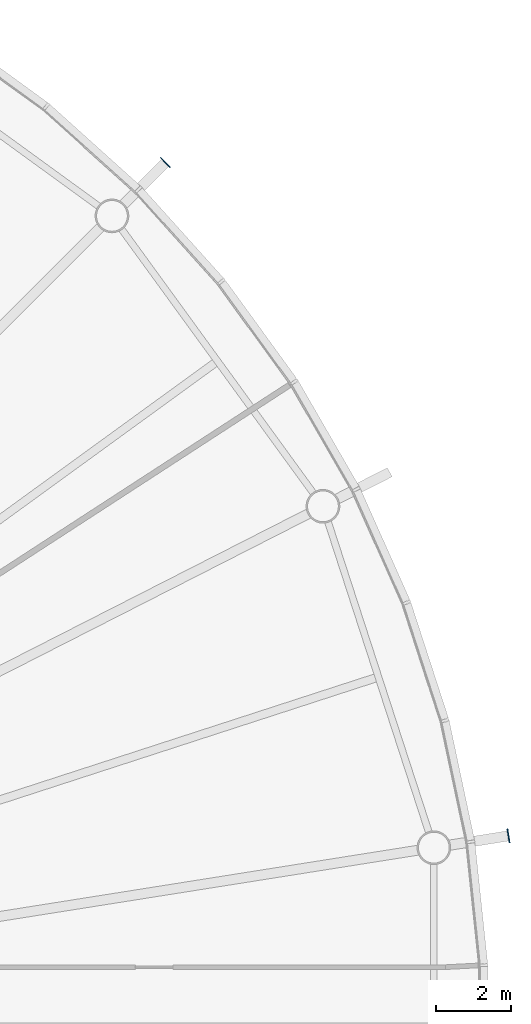
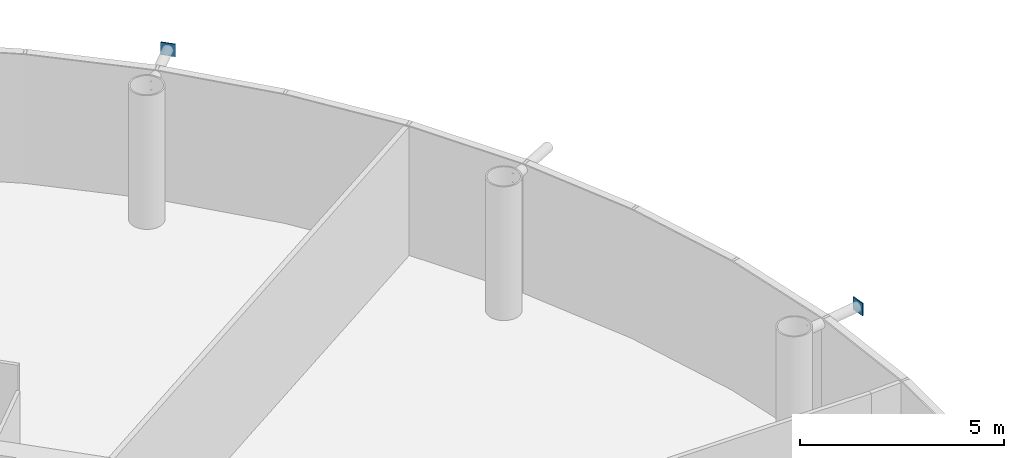
# One storey, part 11 of 19: 2 discrete accessories.
"""IFC4 building model written with IfcOpenShell, lengths in metres."""

from ifc_helpers import new_model, si_unit, direction, frame, origin, origin_2d, place, context, subcontext, project, spatial, rectangle, extrude, material, element, save


model = new_model("IFC4")

# Units and contexts
model_context = context("Model", 3, precision=1e-05, world=origin(), true_north=direction((0.0, 1.0)))
body_context = subcontext(model_context, "Body", "Model", "MODEL_VIEW")
ifc_project = project(units=[si_unit("LENGTHUNIT", "METRE"), si_unit("AREAUNIT", "SQUARE_METRE"), si_unit("VOLUMEUNIT", "CUBIC_METRE"), si_unit("PLANEANGLEUNIT", "RADIAN"), si_unit("MASSUNIT", "GRAM", prefix="KILO")], contexts=[model_context])

# Site, building, storey
site_placement = place(None, origin())
site = spatial("IfcSite", under=ifc_project, at=site_placement, CompositionType="ELEMENT")
building_placement = place(site_placement, origin())
building = spatial("IfcBuilding", under=site, at=building_placement, Name="Entoto Ring Tower", CompositionType="ELEMENT")
storey_placement = place(building_placement, frame((0.0, 0.0, 368.0)))
storey = spatial("IfcBuildingStorey", under=building, at=storey_placement, Name="L85", CompositionType="ELEMENT", Elevation=368.0)

# Discrete accessories
ifc_material = material(Name="Steel S355", Category="steel")
for number, where, z_axis, x_axis, name in (
    (1, (113.062255859375, 103.062255859375, 3.52685546875), (0.0, 0.0, 1.0), (0.707106781187, 0.707106781187, 0.0), "Node strut end plate DS2 ring 27 02"),
    (2, (122.21337890625, 85.10205078125, 3.52685546875), (0.0, 0.0, 1.0), (0.987688340595, 0.15643446504, 0.0), "Node strut end plate DS2 ring 27 20"),
):
    element("IfcDiscreteAccessory", number, at=place(storey_placement, frame(where, z_axis=z_axis, x_axis=x_axis)), inside=storey, material=ifc_material, Name=name, PredefinedType="BRACKET", context=body_context, shape_type="SweptSolid", body=[
        extrude(rectangle(XDim=0.030029296875, YDim=0.373046875, at=origin_2d()), origin(), (0.0, 0.0, 1.0), 0.373046875),
    ])

save(model, "model.ifc")
